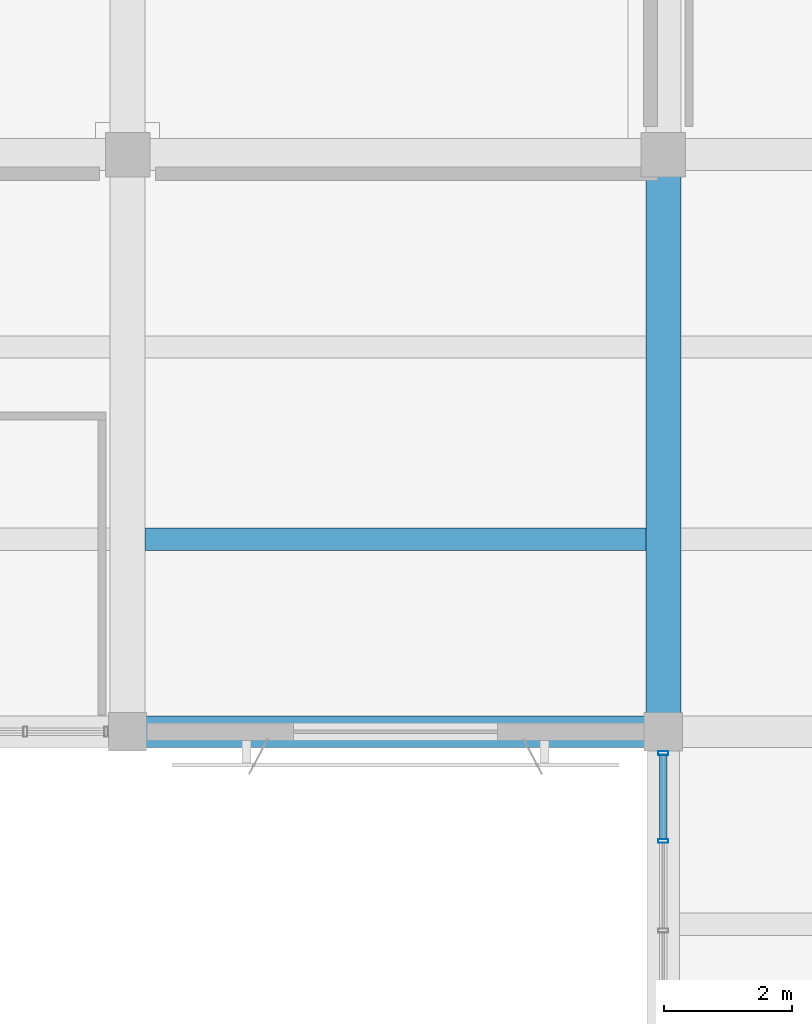
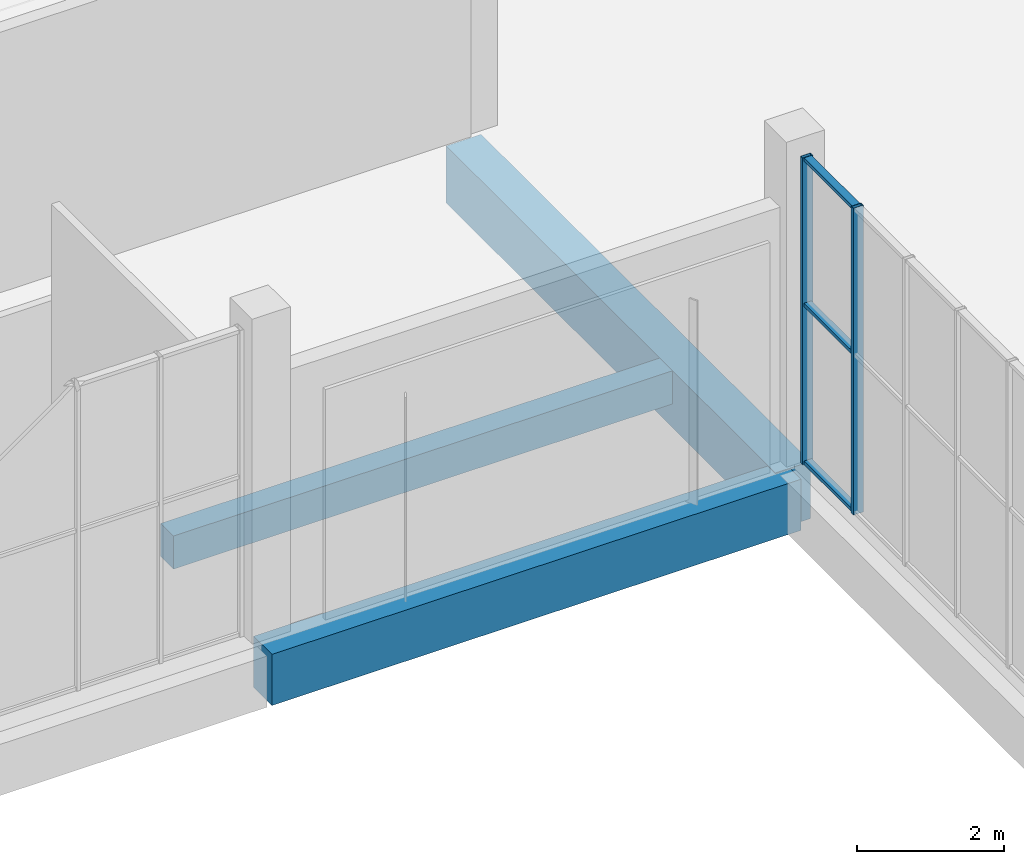
# One storey, part 79 of 132: 5 members, 3 beams, 1 element without a shape of its own.
"""IFC4 building model written with IfcOpenShell, lengths in metres."""

from ifc_helpers import new_model, si_unit, direction, frame, origin, origin_2d, place, context, subcontext, project, spatial, rectangle, hollow_rectangle, extrude, material, material_profile, profile_set, type_object, element, aggregate, save


model = new_model("IFC4")

# Units and contexts
model_context = context("Model", 3, precision=1e-05, world=origin(), true_north=direction((0.0, 1.0)))
body_context = subcontext(model_context, "Body", "Model", "MODEL_VIEW")
ifc_project = project(units=[si_unit("LENGTHUNIT", "METRE"), si_unit("AREAUNIT", "SQUARE_METRE"), si_unit("VOLUMEUNIT", "CUBIC_METRE"), si_unit("PLANEANGLEUNIT", "RADIAN"), si_unit("MASSUNIT", "GRAM", prefix="KILO")], contexts=[model_context])

# Site, building, storey
site_placement = place(None, origin())
site = spatial("IfcSite", under=ifc_project, at=site_placement, CompositionType="ELEMENT")
building_placement = place(site_placement, origin())
building = spatial("IfcBuilding", under=site, at=building_placement, Name="Khurvash Pelagic Aquarium", CompositionType="ELEMENT")
storey_placement = place(building_placement, frame((0.0, 0.0, 5.39990234375)))
storey = spatial("IfcBuildingStorey", under=building, at=storey_placement, Name="L01", CompositionType="ELEMENT", Elevation=5.39990234375)

# Beam
ifc_material_1 = material(Name="Concrete C40/50", Category="concrete")
ifc_material_profile_1 = material_profile(ifc_material_1, rectangle(XDim=0.550048828125, YDim=0.949951171875, at=origin_2d()), Name="RC550X950")
ifc_profile_set_1 = profile_set([ifc_material_profile_1], Name="Concrete C40/50")
beam_type_1 = type_object("IfcBeamType", Name="BM-02", PredefinedType="BEAM", material=ifc_profile_set_1)
beam_1_placement = place(storey_placement, frame((100.800048828125, 84.090087890625, -0.784912109375), z_axis=(0.0, 1.0, 0.0), x_axis=(-1.0, 0.0, 0.0)))
element("IfcBeam", 1, at=beam_1_placement, inside=storey, type_object=beam_type_1, Name="L01 Primary Girder BM-02 00416", PredefinedType="BEAM", context=body_context, shape_type="SweptSolid", body=[
    extrude(rectangle(XDim=0.550048828125, YDim=0.949951171875, at=origin_2d()), origin(), (0.0, 0.0, 1.0), 8.969970703125),
])

# Curtain wall, members
ifc_material_2 = material(Name="Anodised aluminium and low-E laminated glass", Category="aluminium")
curtain_wall_type = type_object("IfcCurtainWallType", Name="CW-06", PredefinedType="USERDEFINED", material=ifc_material_2)
curtain_wall_placement = place(storey_placement, origin())
curtain_wall = element("IfcCurtainWall", 2, at=curtain_wall_placement, inside=storey, type_object=curtain_wall_type, Name="L01 Facade Unitised Curtain Wall CW-06 0140", ObjectType="UNITISED CURTAIN WALL", PredefinedType="USERDEFINED")
ifc_material_3 = material(Name="Extruded aluminium AW-6063-T6", Category="aluminium")
ifc_material_profile_2 = material_profile(ifc_material_3, hollow_rectangle(XDim=0.06005859375, YDim=0.159912109375, WallThickness=0.00390625, at=origin_2d()), Name="CWM60X160X4")
ifc_profile_set_2 = profile_set([ifc_material_profile_2], Name="Extruded aluminium AW-6063-T6")
member_type_1 = type_object("IfcMemberType", Name="CM-02", PredefinedType="MULLION", material=ifc_profile_set_2)
member_1_placement = place(storey_placement, frame((100.800048828125, 83.715087890625, 0.0), z_axis=(0.0, 0.0, 1.0), x_axis=(0.0, -1.0, 0.0)))
member_1 = element("IfcMember", 3, at=member_1_placement, type_object=member_type_1, Name="CW-06 mullion 1", PredefinedType="MULLION", context=body_context, shape_type="SweptSolid", body=[
    extrude(hollow_rectangle(XDim=0.06005859375, YDim=0.159912109375, WallThickness=0.00390625, at=origin_2d()), origin(), (0.0, 0.0, 1.0), 5.10009765625),
])
member_2_placement = place(storey_placement, frame((100.800048828125, 82.33837890625, 0.0), z_axis=(0.0, 0.0, 1.0), x_axis=(0.0, -1.0, 0.0)))
member_2 = element("IfcMember", 4, at=member_2_placement, type_object=member_type_1, Name="CW-06 mullion 2", PredefinedType="MULLION", context=body_context, shape_type="SweptSolid", body=[
    extrude(hollow_rectangle(XDim=0.06005859375, YDim=0.159912109375, WallThickness=0.00390625, at=origin_2d()), origin(), (0.0, 0.0, 1.0), 5.10009765625),
])
ifc_material_profile_3 = material_profile(ifc_material_3, hollow_rectangle(XDim=0.1201171875, YDim=0.06005859375, WallThickness=0.00390625, at=origin_2d()), Name="CWT120X60X4")
ifc_profile_set_3 = profile_set([ifc_material_profile_3], Name="Extruded aluminium AW-6063-T6")
member_type_2 = type_object("IfcMemberType", Name="CT-02", PredefinedType="USERDEFINED", material=ifc_profile_set_3)
member_3_placement = place(storey_placement, frame((100.800048828125, 83.68505859375, 0.030029296875), z_axis=(0.0, -1.0, 0.0), x_axis=(1.0, 0.0, 0.0)))
member_3 = element("IfcMember", 5, at=member_3_placement, type_object=member_type_2, Name="CW-06 transom 1.1", ObjectType="TRANSOM", PredefinedType="USERDEFINED", context=body_context, shape_type="SweptSolid", body=[
    extrude(hollow_rectangle(XDim=0.1201171875, YDim=0.06005859375, WallThickness=0.00390625, at=origin_2d()), origin(), (0.0, 0.0, 1.0), 1.316650390625),
])
member_4_placement = place(storey_placement, frame((100.800048828125, 83.68505859375, 2.652099609375), z_axis=(0.0, -1.0, 0.0), x_axis=(1.0, 0.0, 0.0)))
member_4 = element("IfcMember", 6, at=member_4_placement, type_object=member_type_2, Name="CW-06 transom 1.2", ObjectType="TRANSOM", PredefinedType="USERDEFINED", context=body_context, shape_type="SweptSolid", body=[
    extrude(hollow_rectangle(XDim=0.1201171875, YDim=0.06005859375, WallThickness=0.00390625, at=origin_2d()), origin(), (0.0, 0.0, 1.0), 1.316650390625),
])
member_5_placement = place(storey_placement, frame((100.800048828125, 83.68505859375, 5.070068359375), z_axis=(0.0, -1.0, 0.0), x_axis=(1.0, 0.0, 0.0)))
member_5 = element("IfcMember", 7, at=member_5_placement, type_object=member_type_2, Name="CW-06 transom 1.3", ObjectType="TRANSOM", PredefinedType="USERDEFINED", context=body_context, shape_type="SweptSolid", body=[
    extrude(hollow_rectangle(XDim=0.1201171875, YDim=0.06005859375, WallThickness=0.00390625, at=origin_2d()), origin(), (0.0, 0.0, 1.0), 1.316650390625),
])
aggregate(curtain_wall, [member_1, member_2, member_3, member_4, member_5])

# Beams
ifc_material_4 = material(Name="Concrete C35/45", Category="concrete")
ifc_material_profile_4 = material_profile(ifc_material_4, rectangle(XDim=0.35009765625, YDim=0.550048828125, at=origin_2d()), Name="RC350X550")
ifc_profile_set_4 = profile_set([ifc_material_profile_4], Name="Concrete C35/45")
beam_type_2 = type_object("IfcBeamType", Name="JS-01", PredefinedType="JOIST", material=ifc_profile_set_4)
beam_2_placement = place(storey_placement, frame((92.675048828125, 87.06689453125, -0.5849609375), z_axis=(1.0, 0.0, 0.0), x_axis=(0.0, 1.0, 0.0)))
element("IfcBeam", 8, at=beam_2_placement, inside=storey, type_object=beam_type_2, Name="L01 Floor Joist JS-01 00536", PredefinedType="JOIST", context=body_context, shape_type="SweptSolid", body=[
    extrude(rectangle(XDim=0.35009765625, YDim=0.550048828125, at=origin_2d()), origin(), (0.0, 0.0, 1.0), 7.849853515625),
])
ifc_material_profile_5 = material_profile(ifc_material_1, rectangle(XDim=0.5, YDim=0.85009765625, at=origin_2d()), Name="RC500X850")
ifc_profile_set_5 = profile_set([ifc_material_profile_5], Name="Concrete C40/50")
beam_type_3 = type_object("IfcBeamType", Name="SEB-03", PredefinedType="SPANDREL", material=ifc_profile_set_5)
beam_3_placement = place(storey_placement, frame((92.43994140625, 84.050048828125, -0.744873046875), z_axis=(1.0, 0.0, 0.0), x_axis=(0.0, 1.0, 0.0)))
element("IfcBeam", 9, at=beam_3_placement, inside=storey, type_object=beam_type_3, Name="L01 Primary Girder SEB-03 00314", PredefinedType="SPANDREL", context=body_context, shape_type="SweptSolid", body=[
    extrude(rectangle(XDim=0.5, YDim=0.85009765625, at=origin_2d()), origin(), (0.0, 0.0, 1.0), 8.320068359375),
])

save(model, "model.ifc")
